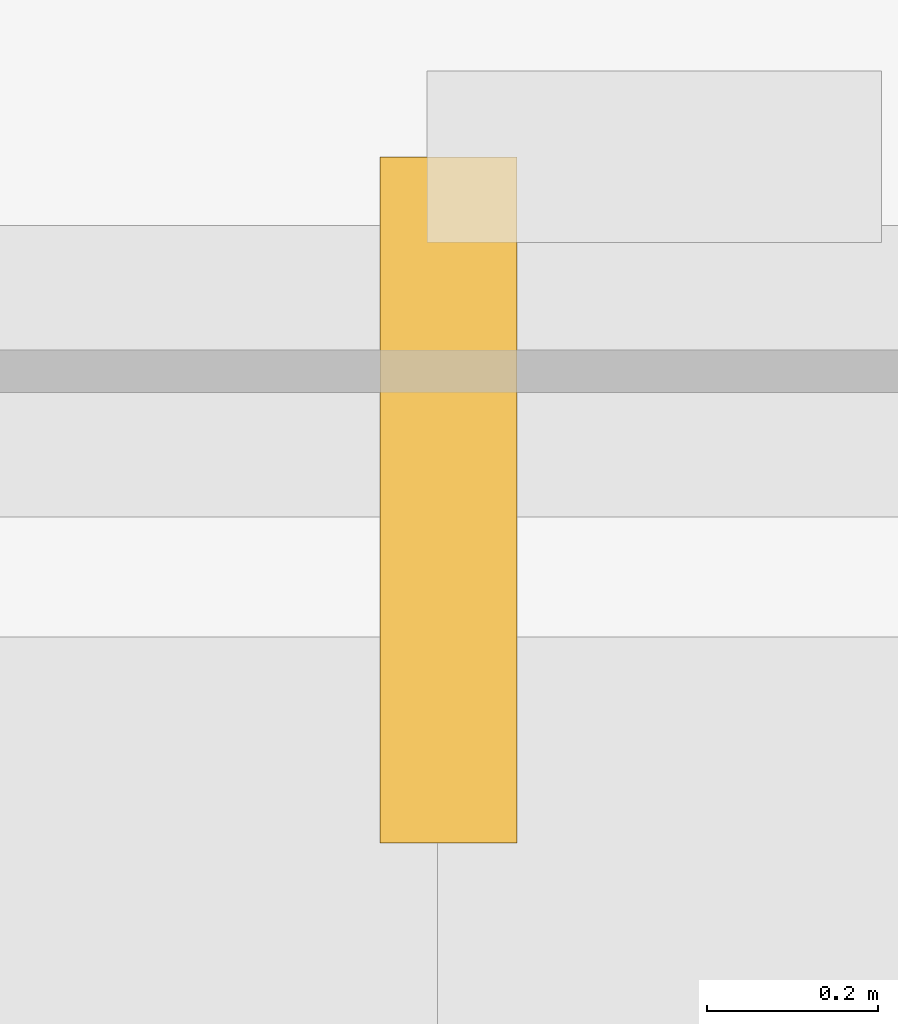
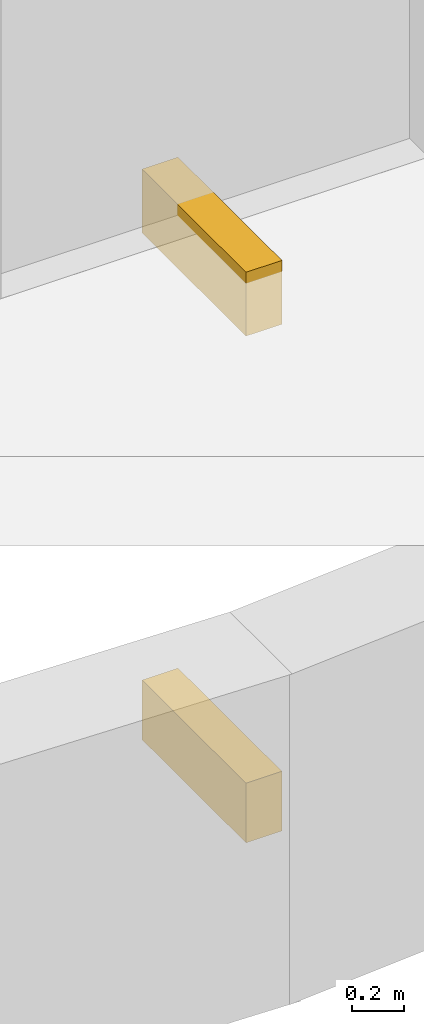
# One storey, part 63 of 63: 2 coverings.
"""IFC4 building model written with IfcOpenShell, lengths in metres."""

from ifc_helpers import new_model, si_unit, direction, frame, frame_2d, origin, place, context, subcontext, project, spatial, rectangle, extrude, material, layer, layer_set, type_object, element, save


model = new_model("IFC4")

# Units and contexts
model_context = context("Model", 3, precision=1e-05, world=origin(), true_north=direction((0.0, 1.0)))
body_context = subcontext(model_context, "Body", "Model", "MODEL_VIEW")
ifc_project = project(units=[si_unit("LENGTHUNIT", "METRE"), si_unit("AREAUNIT", "SQUARE_METRE"), si_unit("VOLUMEUNIT", "CUBIC_METRE"), si_unit("PLANEANGLEUNIT", "RADIAN"), si_unit("MASSUNIT", "GRAM", prefix="KILO")], contexts=[model_context])

# Site, building, storey
site_placement = place(None, origin())
site = spatial("IfcSite", under=ifc_project, at=site_placement, CompositionType="ELEMENT")
building_placement = place(site_placement, origin())
building = spatial("IfcBuilding", under=site, at=building_placement, Name="Keelwater Ferry Terminal", CompositionType="ELEMENT")
storey_placement = place(building_placement, frame((0.0, 0.0, 10.199951171875)))
storey = spatial("IfcBuildingStorey", under=building, at=storey_placement, Name="L02", CompositionType="ELEMENT", Elevation=10.199951171875)

# Coverings
ifc_material = material(Name="Matte white architectural aluminium fascia ribbon", Category="aluminium")
ifc_layer = layer(ifc_material, 0.1201171875)
ifc_layer_set = layer_set([ifc_layer], Name="Matte white architectural aluminium fascia ribbon")
covering_type = type_object("IfcCoveringType", Name="RB-WHT Matte White Fascia Ribbon", PredefinedType="CLADDING", material=ifc_layer_set)
covering_1_placement = place(storey_placement, frame((144.0, 41.449951171875, -2.630859375), z_axis=(0.0, 0.0, 1.0), x_axis=(0.0, 1.0, 0.0)))
element("IfcCovering", 1, at=covering_1_placement, inside=storey, type_object=covering_type, Name="Ribbon Horizontal Tie Bracket 571", PredefinedType="CLADDING", context=body_context, shape_type="SweptSolid", body=[
    extrude(rectangle(XDim=0.800048828125, YDim=0.159912109375, at=frame_2d((0.39990234375, 0.0))), origin(), (0.0, 0.0, 1.0), 0.280029296875),
])
covering_2_placement = place(storey_placement, frame((144.0, 41.449951171875, -0.25), z_axis=(0.0, 0.0, 1.0), x_axis=(0.0, 1.0, 0.0)))
element("IfcCovering", 2, at=covering_2_placement, inside=storey, type_object=covering_type, Name="Ribbon Slab Tie Bracket 573", PredefinedType="CLADDING", context=body_context, shape_type="SweptSolid", body=[
    extrude(rectangle(XDim=0.800048828125, YDim=0.159912109375, at=frame_2d((0.39990234375, 0.0))), origin(), (0.0, 0.0, 1.0), 0.300048828125),
])

save(model, "model.ifc")
